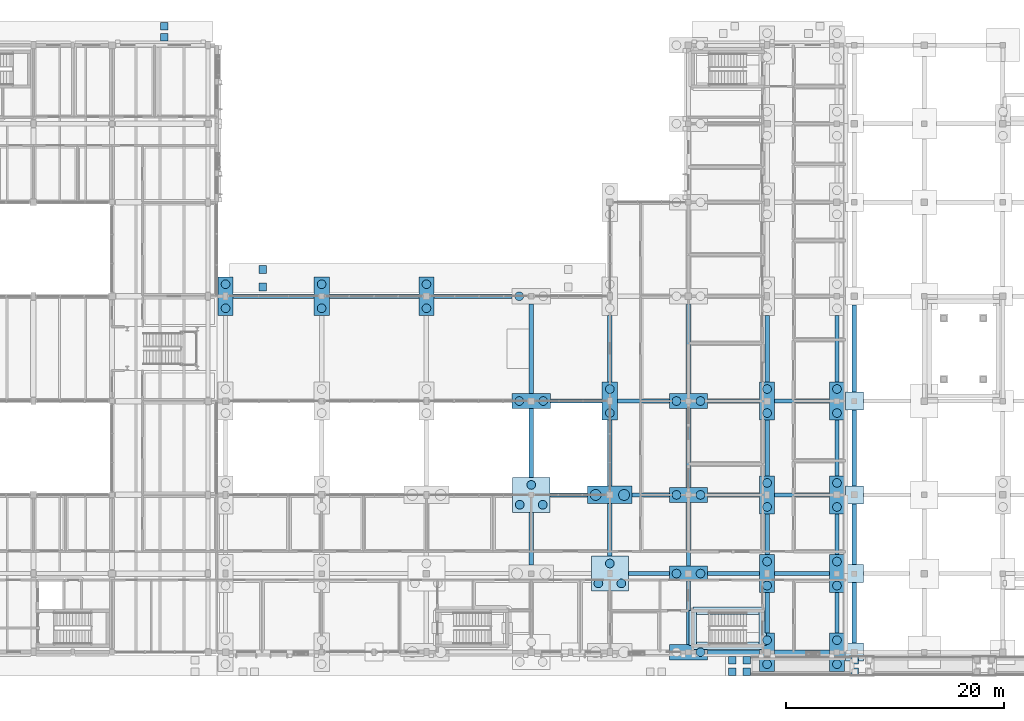
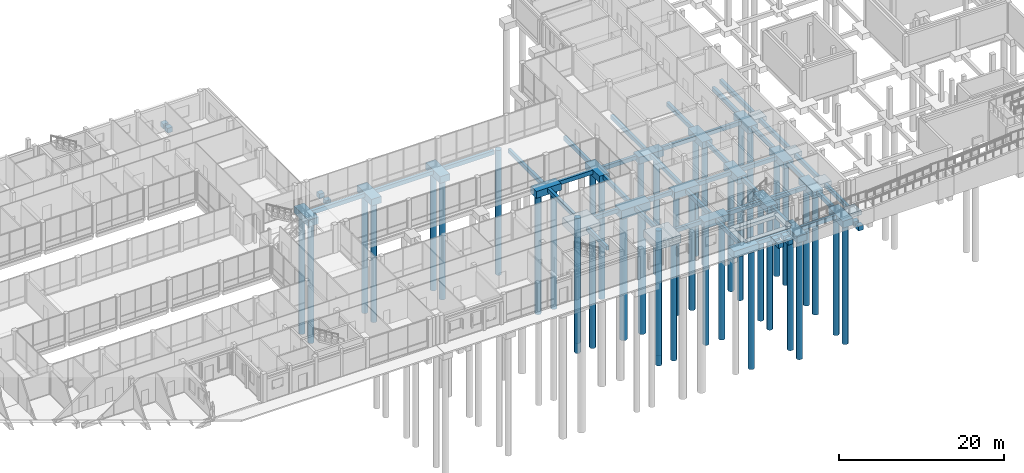
# One storey, part 2 of 104: 76 footings, 42 piles.
"""IFC4 building model written with IfcOpenShell, lengths in metres."""

from ifc_helpers import new_model, si_unit, direction, frame, origin, origin_2d, place, context, subcontext, project, spatial, rectangle, circle, extrude, material, layer, layer_set, material_profile, profile_set, type_object, element, save


model = new_model("IFC4")

# Units and contexts
model_context = context("Model", 3, precision=1e-05, world=origin(), true_north=direction((0.0, 1.0)))
body_context = subcontext(model_context, "Body", "Model", "MODEL_VIEW")
ifc_project = project(units=[si_unit("LENGTHUNIT", "METRE"), si_unit("AREAUNIT", "SQUARE_METRE"), si_unit("VOLUMEUNIT", "CUBIC_METRE"), si_unit("PLANEANGLEUNIT", "RADIAN"), si_unit("MASSUNIT", "GRAM", prefix="KILO")], contexts=[model_context])

# Site, building, storey
site_placement = place(None, origin())
site = spatial("IfcSite", under=ifc_project, at=site_placement, CompositionType="ELEMENT")
building_placement = place(site_placement, origin())
building = spatial("IfcBuilding", under=site, at=building_placement, Name="Hawrajan Terrace Health Centre", CompositionType="ELEMENT")
storey_placement = place(building_placement, origin())
storey = spatial("IfcBuildingStorey", under=building, at=storey_placement, Name="L00", CompositionType="ELEMENT", Elevation=0.0)

# Piles
ifc_material = material(Name="Concrete C40/50", Category="concrete")
ifc_material_profile_1 = material_profile(ifc_material, circle(Radius=0.5, at=origin_2d()), Name="BP 1000")
ifc_profile_set_1 = profile_set([ifc_material_profile_1], Name="Concrete C40/50")
pile_type_1 = type_object("IfcPileType", Name="BoredPile_1000", PredefinedType="BORED", material=ifc_profile_set_1)
for number, where, z_axis, x_axis, name in (
    (1, (106.5, 18.60009765625, -0.5), (0.0, 0.0, -1.0), (1.0, 0.0, 0.0), "Bored pile P-291"),
    (2, (109.10009765625, 18.60009765625, -0.5), (0.0, 0.0, -1.0), (1.0, 0.0, 0.0), "Bored pile P-292"),
):
    element("IfcPile", number, at=place(storey_placement, frame(where, z_axis=z_axis, x_axis=x_axis)), inside=storey, type_object=pile_type_1, Name=name, PredefinedType="BORED", context=body_context, shape_type="SweptSolid", body=[
        extrude(circle(Radius=0.5, at=origin_2d()), origin(), (0.0, 0.0, 1.0), 19.5),
    ])
ifc_material_profile_2 = material_profile(ifc_material, circle(Radius=0.39990234375, at=origin_2d()), Name="BP 800")
ifc_profile_set_2 = profile_set([ifc_material_profile_2], Name="Concrete C40/50")
pile_type_2 = type_object("IfcPileType", Name="BoredPile_800", PredefinedType="BORED", material=ifc_profile_set_2)
for number, where, z_axis, x_axis, name in (
    (3, (72.60009765625, 35.699951171875, -0.5), (0.0, 0.0, -1.0), (1.0, 0.0, 0.0), "Bored pile P-251"),
    (4, (72.60009765625, 37.89990234375, -0.5), (0.0, 0.0, -1.0), (1.0, 0.0, 0.0), "Bored pile P-252"),
    (5, (81.39990234375, 35.699951171875, -0.5), (0.0, 0.0, -1.0), (1.0, 0.0, 0.0), "Bored pile P-261"),
    (6, (81.39990234375, 37.89990234375, -0.5), (0.0, 0.0, -1.0), (1.0, 0.0, 0.0), "Bored pile P-262"),
    (7, (91.0, 35.699951171875, -0.5), (0.0, 0.0, -1.0), (1.0, 0.0, 0.0), "Bored pile P-272"),
    (8, (91.0, 37.89990234375, -0.5), (0.0, 0.0, -1.0), (1.0, 0.0, 0.0), "Bored pile P-273"),
    (9, (99.550048828125, 17.699951171875, -0.5), (0.0, 0.0, -1.0), (1.0, 0.0, 0.0), "Bored pile P-279"),
    (10, (101.64990234375, 17.699951171875, -0.5), (0.0, 0.0, -1.0), (1.0, 0.0, 0.0), "Bored pile P-280"),
    (11, (100.60009765625, 19.52001953125, -0.5), (0.0, 0.0, -1.0), (1.0, 0.0, 0.0), "Bored pile P-281"),
    (12, (99.5, 27.199951171875, -0.5), (0.0, 0.0, -1.0), (1.0, 0.0, 0.0), "Bored pile P-282"),
    (13, (101.699951171875, 27.199951171875, -0.5), (0.0, 0.0, -1.0), (1.0, 0.0, 0.0), "Bored pile P-283"),
    (14, (99.5, 36.800048828125, -0.5), (0.0, 0.0, -1.0), (1.0, 0.0, 0.0), "Bored pile P-284"),
    (15, (106.75, 10.5, -0.5), (0.0, 0.0, -1.0), (1.0, 0.0, 0.0), "Bored pile P-288"),
    (16, (108.85009765625, 10.5, -0.5), (0.0, 0.0, -1.0), (1.0, 0.0, 0.0), "Bored pile P-289"),
    (17, (107.800048828125, 12.320068359375, -0.5), (0.0, 0.0, -1.0), (1.0, 0.0, 0.0), "Bored pile P-290"),
    (18, (107.800048828125, 26.10009765625, -0.5), (0.0, 0.0, -1.0), (1.0, 0.0, 0.0), "Bored pile P-293"),
    (19, (107.800048828125, 28.300048828125, -0.5), (0.0, 0.0, -1.0), (1.0, 0.0, 0.0), "Bored pile P-294"),
    (20, (116.10009765625, 4.199951171875, -0.5), (0.0, 0.0, -1.0), (1.0, 0.0, 0.0), "Bored pile P-300"),
    (21, (113.89990234375, 11.39990234375, -0.5), (0.0, 0.0, -1.0), (1.0, 0.0, 0.0), "Bored pile P-301"),
    (22, (116.10009765625, 11.39990234375, -0.5), (0.0, 0.0, -1.0), (1.0, 0.0, 0.0), "Bored pile P-302"),
    (23, (113.89990234375, 18.60009765625, -0.5), (0.0, 0.0, -1.0), (1.0, 0.0, 0.0), "Bored pile P-303"),
    (24, (116.10009765625, 18.60009765625, -0.5), (0.0, 0.0, -1.0), (1.0, 0.0, 0.0), "Bored pile P-304"),
    (25, (113.89990234375, 27.199951171875, -0.5), (0.0, 0.0, -1.0), (1.0, 0.0, 0.0), "Bored pile P-305"),
    (26, (116.10009765625, 27.199951171875, -0.5), (0.0, 0.0, -1.0), (1.0, 0.0, 0.0), "Bored pile P-306"),
    (27, (122.199951171875, 3.10009765625, -0.5), (0.0, 0.0, -1.0), (1.0, 0.0, 0.0), "Bored pile P-315"),
    (28, (122.199951171875, 5.300048828125, -0.5), (0.0, 0.0, -1.0), (1.0, 0.0, 0.0), "Bored pile P-316"),
    (29, (122.199951171875, 10.300048828125, -0.5), (0.0, 0.0, -1.0), (1.0, 0.0, 0.0), "Bored pile P-317"),
    (30, (122.199951171875, 12.5, -0.5), (0.0, 0.0, -1.0), (1.0, 0.0, 0.0), "Bored pile P-318"),
    (31, (122.199951171875, 17.5, -0.5), (0.0, 0.0, -1.0), (1.0, 0.0, 0.0), "Bored pile P-319"),
    (32, (122.199951171875, 19.699951171875, -0.5), (0.0, 0.0, -1.0), (1.0, 0.0, 0.0), "Bored pile P-320"),
    (33, (122.199951171875, 26.10009765625, -0.5), (0.0, 0.0, -1.0), (1.0, 0.0, 0.0), "Bored pile P-321"),
    (34, (122.199951171875, 28.300048828125, -0.5), (0.0, 0.0, -1.0), (1.0, 0.0, 0.0), "Bored pile P-322"),
    (35, (128.60009765625, 3.10009765625, -0.5), (0.0, 0.0, -1.0), (1.0, 0.0, 0.0), "Bored pile P-331"),
    (36, (128.60009765625, 5.300048828125, -0.5), (0.0, 0.0, -1.0), (1.0, 0.0, 0.0), "Bored pile P-332"),
    (37, (128.60009765625, 10.300048828125, -0.5), (0.0, 0.0, -1.0), (1.0, 0.0, 0.0), "Bored pile P-333"),
    (38, (128.60009765625, 12.5, -0.5), (0.0, 0.0, -1.0), (1.0, 0.0, 0.0), "Bored pile P-334"),
    (39, (128.60009765625, 17.5, -0.5), (0.0, 0.0, -1.0), (1.0, 0.0, 0.0), "Bored pile P-335"),
    (40, (128.60009765625, 19.699951171875, -0.5), (0.0, 0.0, -1.0), (1.0, 0.0, 0.0), "Bored pile P-336"),
    (41, (128.60009765625, 26.10009765625, -0.5), (0.0, 0.0, -1.0), (1.0, 0.0, 0.0), "Bored pile P-337"),
    (42, (128.60009765625, 28.300048828125, -0.5), (0.0, 0.0, -1.0), (1.0, 0.0, 0.0), "Bored pile P-338"),
):
    element("IfcPile", number, at=place(storey_placement, frame(where, z_axis=z_axis, x_axis=x_axis)), inside=storey, type_object=pile_type_2, Name=name, PredefinedType="BORED", context=body_context, shape_type="SweptSolid", body=[
        extrude(circle(Radius=0.39990234375, at=origin_2d()), origin(), (0.0, 0.0, 1.0), 18.5),
    ])

# Footings
ifc_material_profile_3 = material_profile(ifc_material, rectangle(XDim=0.39990234375, YDim=0.60009765625, at=origin_2d()), Name="RC BM 400x600")
ifc_profile_set_3 = profile_set([ifc_material_profile_3], Name="Concrete C40/50")
footing_type_1 = type_object("IfcFootingType", Name="GroundBeam_400x600", PredefinedType="FOOTING_BEAM", material=ifc_profile_set_3)
footing_1_placement = place(storey_placement, frame((73.300048828125, 36.800048828125, -0.699951171875), z_axis=(1.0, 0.0, 0.0), x_axis=(0.0, 1.0, 0.0)))
element("IfcFooting", 43, at=footing_1_placement, inside=storey, type_object=footing_type_1, Name="Ground tie beam GB-X-C-10-5", PredefinedType="FOOTING_BEAM", context=body_context, shape_type="SweptSolid", body=[
    extrude(rectangle(XDim=0.39990234375, YDim=0.60009765625, at=origin_2d()), origin(), (0.0, 0.0, 1.0), 7.39990234375),
])
footing_2_placement = place(storey_placement, frame((82.10009765625, 36.800048828125, -0.699951171875), z_axis=(1.0, 0.0, 0.0), x_axis=(0.0, 1.0, 0.0)))
element("IfcFooting", 44, at=footing_2_placement, inside=storey, type_object=footing_type_1, Name="Ground tie beam GB-X-C-11-5", PredefinedType="FOOTING_BEAM", context=body_context, shape_type="SweptSolid", body=[
    extrude(rectangle(XDim=0.39990234375, YDim=0.60009765625, at=origin_2d()), origin(), (0.0, 0.0, 1.0), 8.199951171875),
])
footing_3_placement = place(storey_placement, frame((91.699951171875, 36.800048828125, -0.699951171875), z_axis=(1.0, 0.0, 0.0), x_axis=(0.0, 1.0, 0.0)))
element("IfcFooting", 45, at=footing_3_placement, inside=storey, type_object=footing_type_1, Name="Ground tie beam GB-X-C-12-5", PredefinedType="FOOTING_BEAM", context=body_context, shape_type="SweptSolid", body=[
    extrude(rectangle(XDim=0.39990234375, YDim=0.60009765625, at=origin_2d()), origin(), (0.0, 0.0, 1.0), 7.150146484375),
])
footing_4_placement = place(storey_placement, frame((100.60009765625, 12.199951171875, -0.699951171875), z_axis=(0.0, 1.0, 0.0), x_axis=(-1.0, 0.0, 0.0)))
element("IfcFooting", 46, at=footing_4_placement, inside=storey, type_object=footing_type_1, Name="Ground tie beam GB-Y-C-13-2", PredefinedType="FOOTING_BEAM", context=body_context, shape_type="SweptSolid", body=[
    extrude(rectangle(XDim=0.39990234375, YDim=0.60009765625, at=origin_2d()), origin(), (0.0, 0.0, 1.0), 4.800048828125),
])
footing_5_placement = place(storey_placement, frame((102.300048828125, 18.60009765625, -0.699951171875), z_axis=(1.0, 0.0, 0.0), x_axis=(0.0, 1.0, 0.0)))
element("IfcFooting", 47, at=footing_5_placement, inside=storey, type_object=footing_type_1, Name="Ground tie beam GB-X-C-13-3", PredefinedType="FOOTING_BEAM", context=body_context, shape_type="SweptSolid", body=[
    extrude(rectangle(XDim=0.39990234375, YDim=0.60009765625, at=origin_2d()), origin(), (0.0, 0.0, 1.0), 3.449951171875),
])
footing_6_placement = place(storey_placement, frame((100.60009765625, 20.199951171875, -0.699951171875), z_axis=(0.0, 1.0, 0.0), x_axis=(-1.0, 0.0, 0.0)))
element("IfcFooting", 48, at=footing_6_placement, inside=storey, type_object=footing_type_1, Name="Ground tie beam GB-Y-C-13-3", PredefinedType="FOOTING_BEAM", context=body_context, shape_type="SweptSolid", body=[
    extrude(rectangle(XDim=0.39990234375, YDim=0.60009765625, at=origin_2d()), origin(), (0.0, 0.0, 1.0), 6.300048828125),
])
footing_7_placement = place(storey_placement, frame((102.35009765625, 27.199951171875, -0.699951171875), z_axis=(1.0, 0.0, 0.0), x_axis=(0.0, 1.0, 0.0)))
element("IfcFooting", 49, at=footing_7_placement, inside=storey, type_object=footing_type_1, Name="Ground tie beam GB-X-C-13-4", PredefinedType="FOOTING_BEAM", context=body_context, shape_type="SweptSolid", body=[
    extrude(rectangle(XDim=0.39990234375, YDim=0.60009765625, at=origin_2d()), origin(), (0.0, 0.0, 1.0), 4.75),
])
footing_8_placement = place(storey_placement, frame((100.60009765625, 27.89990234375, -0.699951171875), z_axis=(0.0, 1.0, 0.0), x_axis=(-1.0, 0.0, 0.0)))
element("IfcFooting", 50, at=footing_8_placement, inside=storey, type_object=footing_type_1, Name="Ground tie beam GB-Y-C-13-4", PredefinedType="FOOTING_BEAM", context=body_context, shape_type="SweptSolid", body=[
    extrude(rectangle(XDim=0.39990234375, YDim=0.60009765625, at=origin_2d()), origin(), (0.0, 0.0, 1.0), 8.2001953125),
])
footing_9_placement = place(storey_placement, frame((109.5, 11.39990234375, -0.699951171875), z_axis=(1.0, 0.0, 0.0), x_axis=(0.0, 1.0, 0.0)))
element("IfcFooting", 51, at=footing_9_placement, inside=storey, type_object=footing_type_1, Name="Ground tie beam GB-X-C-14-2", PredefinedType="FOOTING_BEAM", context=body_context, shape_type="SweptSolid", body=[
    extrude(rectangle(XDim=0.39990234375, YDim=0.60009765625, at=origin_2d()), origin(), (0.0, 0.0, 1.0), 3.75),
])
footing_10_placement = place(storey_placement, frame((107.800048828125, 13.0, -0.699951171875), z_axis=(0.0, 1.0, 0.0), x_axis=(-1.0, 0.0, 0.0)))
element("IfcFooting", 52, at=footing_10_placement, inside=storey, type_object=footing_type_1, Name="Ground tie beam GB-Y-C-14-2", PredefinedType="FOOTING_BEAM", context=body_context, shape_type="SweptSolid", body=[
    extrude(rectangle(XDim=0.39990234375, YDim=0.60009765625, at=origin_2d()), origin(), (0.0, 0.0, 1.0), 4.800048828125),
])
footing_11_placement = place(storey_placement, frame((109.85009765625, 18.60009765625, -0.699951171875), z_axis=(1.0, 0.0, 0.0), x_axis=(0.0, 1.0, 0.0)))
element("IfcFooting", 53, at=footing_11_placement, inside=storey, type_object=footing_type_1, Name="Ground tie beam GB-X-C-14-3", PredefinedType="FOOTING_BEAM", context=body_context, shape_type="SweptSolid", body=[
    extrude(rectangle(XDim=0.39990234375, YDim=0.60009765625, at=origin_2d()), origin(), (0.0, 0.0, 1.0), 3.39990234375),
])
footing_12_placement = place(storey_placement, frame((107.800048828125, 19.39990234375, -0.699951171875), z_axis=(0.0, 1.0, 0.0), x_axis=(-1.0, 0.0, 0.0)))
element("IfcFooting", 54, at=footing_12_placement, inside=storey, type_object=footing_type_1, Name="Ground tie beam GB-Y-C-14-3", PredefinedType="FOOTING_BEAM", context=body_context, shape_type="SweptSolid", body=[
    extrude(rectangle(XDim=0.39990234375, YDim=0.60009765625, at=origin_2d()), origin(), (0.0, 0.0, 1.0), 6.050048828125),
])
footing_13_placement = place(storey_placement, frame((108.5, 27.199951171875, -0.699951171875), z_axis=(1.0, 0.0, 0.0), x_axis=(0.0, 1.0, 0.0)))
element("IfcFooting", 55, at=footing_13_placement, inside=storey, type_object=footing_type_1, Name="Ground tie beam GB-X-C-14-4", PredefinedType="FOOTING_BEAM", context=body_context, shape_type="SweptSolid", body=[
    extrude(rectangle(XDim=0.39990234375, YDim=0.60009765625, at=origin_2d()), origin(), (0.0, 0.0, 1.0), 4.75),
])
footing_14_placement = place(storey_placement, frame((107.800048828125, 28.949951171875, -0.699951171875), z_axis=(0.0, 1.0, 0.0), x_axis=(-1.0, 0.0, 0.0)))
element("IfcFooting", 56, at=footing_14_placement, inside=storey, type_object=footing_type_1, Name="Ground tie beam GB-Y-C-14-4", PredefinedType="FOOTING_BEAM", context=body_context, shape_type="SweptSolid", body=[
    extrude(rectangle(XDim=0.39990234375, YDim=0.60009765625, at=origin_2d()), origin(), (0.0, 0.0, 1.0), 6.10009765625),
])
footing_15_placement = place(storey_placement, frame((116.75, 4.199951171875, -0.699951171875), z_axis=(1.0, 0.0, 0.0), x_axis=(0.0, 1.0, 0.0)))
element("IfcFooting", 57, at=footing_15_placement, inside=storey, type_object=footing_type_1, Name="Ground tie beam GB-X-C-15-1", PredefinedType="FOOTING_BEAM", context=body_context, shape_type="SweptSolid", body=[
    extrude(rectangle(XDim=0.39990234375, YDim=0.60009765625, at=origin_2d()), origin(), (0.0, 0.0, 1.0), 4.75),
])
footing_16_placement = place(storey_placement, frame((115.0, 4.89990234375, -0.699951171875), z_axis=(0.0, 1.0, 0.0), x_axis=(-1.0, 0.0, 0.0)))
element("IfcFooting", 58, at=footing_16_placement, inside=storey, type_object=footing_type_1, Name="Ground tie beam GB-Y-C-15-1", PredefinedType="FOOTING_BEAM", context=body_context, shape_type="SweptSolid", body=[
    extrude(rectangle(XDim=0.39990234375, YDim=0.60009765625, at=origin_2d()), origin(), (0.0, 0.0, 1.0), 5.800048828125),
])
footing_17_placement = place(storey_placement, frame((116.75, 11.39990234375, -0.699951171875), z_axis=(1.0, 0.0, 0.0), x_axis=(0.0, 1.0, 0.0)))
element("IfcFooting", 59, at=footing_17_placement, inside=storey, type_object=footing_type_1, Name="Ground tie beam GB-X-C-15-2", PredefinedType="FOOTING_BEAM", context=body_context, shape_type="SweptSolid", body=[
    extrude(rectangle(XDim=0.39990234375, YDim=0.60009765625, at=origin_2d()), origin(), (0.0, 0.0, 1.0), 4.75),
])
footing_18_placement = place(storey_placement, frame((115.0, 12.10009765625, -0.699951171875), z_axis=(0.0, 1.0, 0.0), x_axis=(-1.0, 0.0, 0.0)))
element("IfcFooting", 60, at=footing_18_placement, inside=storey, type_object=footing_type_1, Name="Ground tie beam GB-Y-C-15-2", PredefinedType="FOOTING_BEAM", context=body_context, shape_type="SweptSolid", body=[
    extrude(rectangle(XDim=0.39990234375, YDim=0.60009765625, at=origin_2d()), origin(), (0.0, 0.0, 1.0), 5.7998046875),
])
footing_19_placement = place(storey_placement, frame((116.75, 18.60009765625, -0.699951171875), z_axis=(1.0, 0.0, 0.0), x_axis=(0.0, 1.0, 0.0)))
element("IfcFooting", 61, at=footing_19_placement, inside=storey, type_object=footing_type_1, Name="Ground tie beam GB-X-C-15-3", PredefinedType="FOOTING_BEAM", context=body_context, shape_type="SweptSolid", body=[
    extrude(rectangle(XDim=0.39990234375, YDim=0.60009765625, at=origin_2d()), origin(), (0.0, 0.0, 1.0), 4.75),
])
footing_20_placement = place(storey_placement, frame((115.0, 19.300048828125, -0.699951171875), z_axis=(0.0, 1.0, 0.0), x_axis=(-1.0, 0.0, 0.0)))
element("IfcFooting", 62, at=footing_20_placement, inside=storey, type_object=footing_type_1, Name="Ground tie beam GB-Y-C-15-3", PredefinedType="FOOTING_BEAM", context=body_context, shape_type="SweptSolid", body=[
    extrude(rectangle(XDim=0.39990234375, YDim=0.60009765625, at=origin_2d()), origin(), (0.0, 0.0, 1.0), 7.199951171875),
])
footing_21_placement = place(storey_placement, frame((116.75, 27.199951171875, -0.699951171875), z_axis=(1.0, 0.0, 0.0), x_axis=(0.0, 1.0, 0.0)))
element("IfcFooting", 63, at=footing_21_placement, inside=storey, type_object=footing_type_1, Name="Ground tie beam GB-X-C-15-4", PredefinedType="FOOTING_BEAM", context=body_context, shape_type="SweptSolid", body=[
    extrude(rectangle(XDim=0.39990234375, YDim=0.60009765625, at=origin_2d()), origin(), (0.0, 0.0, 1.0), 4.75),
])
footing_22_placement = place(storey_placement, frame((115.0, 27.89990234375, -0.699951171875), z_axis=(0.0, 1.0, 0.0), x_axis=(-1.0, 0.0, 0.0)))
element("IfcFooting", 64, at=footing_22_placement, inside=storey, type_object=footing_type_1, Name="Ground tie beam GB-Y-C-15-4", PredefinedType="FOOTING_BEAM", context=body_context, shape_type="SweptSolid", body=[
    extrude(rectangle(XDim=0.39990234375, YDim=0.60009765625, at=origin_2d()), origin(), (0.0, 0.0, 1.0), 8.2001953125),
])
footing_23_placement = place(storey_placement, frame((122.89990234375, 4.199951171875, -0.699951171875), z_axis=(1.0, 0.0, 0.0), x_axis=(0.0, 1.0, 0.0)))
element("IfcFooting", 65, at=footing_23_placement, inside=storey, type_object=footing_type_1, Name="Ground tie beam GB-X-C-16-1", PredefinedType="FOOTING_BEAM", context=body_context, shape_type="SweptSolid", body=[
    extrude(rectangle(XDim=0.39990234375, YDim=0.60009765625, at=origin_2d()), origin(), (0.0, 0.0, 1.0), 5.0),
])
footing_24_placement = place(storey_placement, frame((122.199951171875, 5.949951171875, -0.699951171875), z_axis=(0.0, 1.0, 0.0), x_axis=(-1.0, 0.0, 0.0)))
element("IfcFooting", 66, at=footing_24_placement, inside=storey, type_object=footing_type_1, Name="Ground tie beam GB-Y-C-16-1", PredefinedType="FOOTING_BEAM", context=body_context, shape_type="SweptSolid", body=[
    extrude(rectangle(XDim=0.39990234375, YDim=0.60009765625, at=origin_2d()), origin(), (0.0, 0.0, 1.0), 3.699951171875),
])
footing_25_placement = place(storey_placement, frame((122.89990234375, 11.39990234375, -0.699951171875), z_axis=(1.0, 0.0, 0.0), x_axis=(0.0, 1.0, 0.0)))
element("IfcFooting", 67, at=footing_25_placement, inside=storey, type_object=footing_type_1, Name="Ground tie beam GB-X-C-16-2", PredefinedType="FOOTING_BEAM", context=body_context, shape_type="SweptSolid", body=[
    extrude(rectangle(XDim=0.39990234375, YDim=0.60009765625, at=origin_2d()), origin(), (0.0, 0.0, 1.0), 5.0),
])
footing_26_placement = place(storey_placement, frame((122.199951171875, 13.14990234375, -0.699951171875), z_axis=(0.0, 1.0, 0.0), x_axis=(-1.0, 0.0, 0.0)))
element("IfcFooting", 68, at=footing_26_placement, inside=storey, type_object=footing_type_1, Name="Ground tie beam GB-Y-C-16-2", PredefinedType="FOOTING_BEAM", context=body_context, shape_type="SweptSolid", body=[
    extrude(rectangle(XDim=0.39990234375, YDim=0.60009765625, at=origin_2d()), origin(), (0.0, 0.0, 1.0), 3.7001953125),
])
footing_27_placement = place(storey_placement, frame((122.89990234375, 18.60009765625, -0.699951171875), z_axis=(1.0, 0.0, 0.0), x_axis=(0.0, 1.0, 0.0)))
element("IfcFooting", 69, at=footing_27_placement, inside=storey, type_object=footing_type_1, Name="Ground tie beam GB-X-C-16-3", PredefinedType="FOOTING_BEAM", context=body_context, shape_type="SweptSolid", body=[
    extrude(rectangle(XDim=0.39990234375, YDim=0.60009765625, at=origin_2d()), origin(), (0.0, 0.0, 1.0), 5.0),
])
footing_28_placement = place(storey_placement, frame((122.199951171875, 20.35009765625, -0.699951171875), z_axis=(0.0, 1.0, 0.0), x_axis=(-1.0, 0.0, 0.0)))
element("IfcFooting", 70, at=footing_28_placement, inside=storey, type_object=footing_type_1, Name="Ground tie beam GB-Y-C-16-3", PredefinedType="FOOTING_BEAM", context=body_context, shape_type="SweptSolid", body=[
    extrude(rectangle(XDim=0.39990234375, YDim=0.60009765625, at=origin_2d()), origin(), (0.0, 0.0, 1.0), 5.099853515625),
])
footing_29_placement = place(storey_placement, frame((122.89990234375, 27.199951171875, -0.699951171875), z_axis=(1.0, 0.0, 0.0), x_axis=(0.0, 1.0, 0.0)))
element("IfcFooting", 71, at=footing_29_placement, inside=storey, type_object=footing_type_1, Name="Ground tie beam GB-X-C-16-4", PredefinedType="FOOTING_BEAM", context=body_context, shape_type="SweptSolid", body=[
    extrude(rectangle(XDim=0.39990234375, YDim=0.60009765625, at=origin_2d()), origin(), (0.0, 0.0, 1.0), 5.0),
])
footing_30_placement = place(storey_placement, frame((122.199951171875, 28.949951171875, -0.699951171875), z_axis=(0.0, 1.0, 0.0), x_axis=(-1.0, 0.0, 0.0)))
element("IfcFooting", 72, at=footing_30_placement, inside=storey, type_object=footing_type_1, Name="Ground tie beam GB-Y-C-16-4", PredefinedType="FOOTING_BEAM", context=body_context, shape_type="SweptSolid", body=[
    extrude(rectangle(XDim=0.39990234375, YDim=0.60009765625, at=origin_2d()), origin(), (0.0, 0.0, 1.0), 6.10009765625),
])
footing_31_placement = place(storey_placement, frame((128.60009765625, 5.949951171875, -0.699951171875), z_axis=(0.0, 1.0, 0.0), x_axis=(-1.0, 0.0, 0.0)))
element("IfcFooting", 73, at=footing_31_placement, inside=storey, type_object=footing_type_1, Name="Ground tie beam GB-Y-C-17-1", PredefinedType="FOOTING_BEAM", context=body_context, shape_type="SweptSolid", body=[
    extrude(rectangle(XDim=0.39990234375, YDim=0.60009765625, at=origin_2d()), origin(), (0.0, 0.0, 1.0), 3.699951171875),
])
footing_32_placement = place(storey_placement, frame((128.60009765625, 13.14990234375, -0.699951171875), z_axis=(0.0, 1.0, 0.0), x_axis=(-1.0, 0.0, 0.0)))
element("IfcFooting", 74, at=footing_32_placement, inside=storey, type_object=footing_type_1, Name="Ground tie beam GB-Y-C-17-2", PredefinedType="FOOTING_BEAM", context=body_context, shape_type="SweptSolid", body=[
    extrude(rectangle(XDim=0.39990234375, YDim=0.60009765625, at=origin_2d()), origin(), (0.0, 0.0, 1.0), 3.7001953125),
])
footing_33_placement = place(storey_placement, frame((128.60009765625, 20.35009765625, -0.699951171875), z_axis=(0.0, 1.0, 0.0), x_axis=(-1.0, 0.0, 0.0)))
element("IfcFooting", 75, at=footing_33_placement, inside=storey, type_object=footing_type_1, Name="Ground tie beam GB-Y-C-17-3", PredefinedType="FOOTING_BEAM", context=body_context, shape_type="SweptSolid", body=[
    extrude(rectangle(XDim=0.39990234375, YDim=0.60009765625, at=origin_2d()), origin(), (0.0, 0.0, 1.0), 5.099853515625),
])
footing_34_placement = place(storey_placement, frame((128.60009765625, 28.949951171875, -0.699951171875), z_axis=(0.0, 1.0, 0.0), x_axis=(-1.0, 0.0, 0.0)))
element("IfcFooting", 76, at=footing_34_placement, inside=storey, type_object=footing_type_1, Name="Ground tie beam GB-Y-C-17-4", PredefinedType="FOOTING_BEAM", context=body_context, shape_type="SweptSolid", body=[
    extrude(rectangle(XDim=0.39990234375, YDim=0.60009765625, at=origin_2d()), origin(), (0.0, 0.0, 1.0), 6.10009765625),
])
footing_35_placement = place(storey_placement, frame((130.199951171875, 5.02490234375, -0.699951171875), z_axis=(0.0, 1.0, 0.0), x_axis=(-1.0, 0.0, 0.0)))
element("IfcFooting", 77, at=footing_35_placement, inside=storey, type_object=footing_type_1, Name="Ground tie beam GB-Y-E-17-1", PredefinedType="FOOTING_BEAM", context=body_context, shape_type="SweptSolid", body=[
    extrude(rectangle(XDim=0.39990234375, YDim=0.60009765625, at=origin_2d()), origin(), (0.0, 0.0, 1.0), 5.550048828125),
])
footing_36_placement = place(storey_placement, frame((130.199951171875, 12.22509765625, -0.699951171875), z_axis=(0.0, 1.0, 0.0), x_axis=(-1.0, 0.0, 0.0)))
element("IfcFooting", 78, at=footing_36_placement, inside=storey, type_object=footing_type_1, Name="Ground tie beam GB-Y-E-17-2", PredefinedType="FOOTING_BEAM", context=body_context, shape_type="SweptSolid", body=[
    extrude(rectangle(XDim=0.39990234375, YDim=0.60009765625, at=origin_2d()), origin(), (0.0, 0.0, 1.0), 5.5498046875),
])
footing_37_placement = place(storey_placement, frame((130.199951171875, 19.425048828125, -0.699951171875), z_axis=(0.0, 1.0, 0.0), x_axis=(-1.0, 0.0, 0.0)))
element("IfcFooting", 79, at=footing_37_placement, inside=storey, type_object=footing_type_1, Name="Ground tie beam GB-Y-E-17-3", PredefinedType="FOOTING_BEAM", context=body_context, shape_type="SweptSolid", body=[
    extrude(rectangle(XDim=0.39990234375, YDim=0.60009765625, at=origin_2d()), origin(), (0.0, 0.0, 1.0), 6.949951171875),
])
footing_38_placement = place(storey_placement, frame((130.199951171875, 28.02490234375, -0.699951171875), z_axis=(0.0, 1.0, 0.0), x_axis=(-1.0, 0.0, 0.0)))
element("IfcFooting", 80, at=footing_38_placement, inside=storey, type_object=footing_type_1, Name="Ground tie beam GB-Y-E-17-4", PredefinedType="FOOTING_BEAM", context=body_context, shape_type="SweptSolid", body=[
    extrude(rectangle(XDim=0.39990234375, YDim=0.60009765625, at=origin_2d()), origin(), (0.0, 0.0, 1.0), 7.9501953125),
])
ifc_layer_1 = layer(ifc_material, 0.64990234375)
ifc_layer_set_1 = layer_set([ifc_layer_1], Name="Concrete C40/50")
footing_type_2 = type_object("IfcFootingType", Name="PadFooting_1650", PredefinedType="PAD_FOOTING", material=ifc_layer_set_1)
for number, where, z_axis, x_axis, name in (
    (81, (130.199951171875, 4.199951171875, -1.050048828125), (0.0, 0.0, 1.0), (1.0, 0.0, 0.0), "Foundation FT-E-X17-Y1"),
    (82, (130.199951171875, 11.39990234375, -1.050048828125), (0.0, 0.0, 1.0), (1.0, 0.0, 0.0), "Foundation FT-E-X17-Y2"),
    (83, (130.199951171875, 18.60009765625, -1.050048828125), (0.0, 0.0, 1.0), (1.0, 0.0, 0.0), "Foundation FT-E-X17-Y3"),
    (84, (130.199951171875, 27.199951171875, -1.050048828125), (0.0, 0.0, 1.0), (1.0, 0.0, 0.0), "Foundation FT-E-X17-Y4"),
):
    element("IfcFooting", number, at=place(storey_placement, frame(where, z_axis=z_axis, x_axis=x_axis)), inside=storey, type_object=footing_type_2, Name=name, PredefinedType="PAD_FOOTING", context=body_context, shape_type="SweptSolid", body=[
        extrude(rectangle(XDim=1.64990234375, YDim=1.64990234375, at=origin_2d()), origin(), (0.0, 0.0, 1.0), 0.64990234375),
    ])
ifc_layer_2 = layer(ifc_material, 0.699951171875)
ifc_layer_set_2 = layer_set([ifc_layer_2], Name="Concrete C40/50")
footing_type_3 = type_object("IfcFootingType", Name="PadFooting_700", PredefinedType="PAD_FOOTING", material=ifc_layer_set_2)
for number, where, z_axis, x_axis, name in (
    (85, (67.0, 60.52001953125, -0.89990234375), (0.0, 0.0, 1.0), (1.0, 0.0, 0.0), "Apron pad footing APRON-L00-NW-2"),
    (86, (67.0, 61.52001953125, -0.89990234375), (0.0, 0.0, 1.0), (1.0, 0.0, 0.0), "Apron pad footing APRON-L00-NW-3"),
    (87, (76.0, 37.64990234375, -0.89990234375), (0.0, 0.0, 1.0), (1.0, 0.0, 0.0), "Apron pad footing APRON-L00-NCOURT-1"),
    (88, (76.0, 39.25, -0.89990234375), (0.0, 0.0, 1.0), (1.0, 0.0, 0.0), "Apron pad footing APRON-L00-NCOURT-4"),
    (89, (119.0, 2.419921875, -0.9501953125), (0.0, 0.0, 1.0), (1.0, 0.0, 0.0), "Apron pad footing RMP-00-LND-1"),
    (90, (120.35009765625, 2.419921875, -0.9501953125), (0.0, 0.0, 1.0), (1.0, 0.0, 0.0), "Apron pad footing RMP-00-LND-2"),
    (91, (120.35009765625, 3.449951171875, -0.9501953125), (0.0, 0.0, 1.0), (1.0, 0.0, 0.0), "Apron pad footing RMP-00-LND-3"),
    (92, (119.0, 3.449951171875, -0.9501953125), (0.0, 0.0, 1.0), (1.0, 0.0, 0.0), "Apron pad footing RMP-00-LND-4"),
    (93, (130.219970703125, 2.419921875, -2.2998046875), (0.0, 0.0, 1.0), (1.0, 0.0, 0.0), "Escarpment plinth pad footing RMP-01-LND-1"),
    (94, (130.219970703125, 3.47998046875, -2.2998046875), (0.0, 0.0, 1.0), (1.0, 0.0, 0.0), "Escarpment plinth pad footing RMP-01-LND-4"),
):
    element("IfcFooting", number, at=place(storey_placement, frame(where, z_axis=z_axis, x_axis=x_axis)), inside=storey, type_object=footing_type_3, Name=name, PredefinedType="PAD_FOOTING", context=body_context, shape_type="SweptSolid", body=[
        extrude(rectangle(XDim=0.699951171875, YDim=0.699951171875, at=origin_2d()), origin(), (0.0, 0.0, 1.0), 0.699951171875),
    ])
ifc_layer_3 = layer(ifc_material, 1.300048828125)
ifc_layer_set_3 = layer_set([ifc_layer_3], Name="Concrete C40/50")
footing_type_4 = type_object("IfcFootingType", Name="PileCap_2P1000_EW", PredefinedType="PILE_CAP", material=ifc_layer_set_3)
footing_39_placement = place(storey_placement, frame((107.800048828125, 18.60009765625, -1.7001953125), z_axis=(0.0, 0.0, 1.0), x_axis=(1.0, 0.0, 0.0)))
element("IfcFooting", 95, at=footing_39_placement, inside=storey, type_object=footing_type_4, Name="Foundation FT-C-X14-Y3", PredefinedType="PILE_CAP", context=body_context, shape_type="SweptSolid", body=[
    extrude(rectangle(XDim=4.10009765625, YDim=1.60009765625, at=origin_2d()), origin(), (0.0, 0.0, 1.0), 1.300048828125),
])
ifc_layer_4 = layer(ifc_material, 1.0)
ifc_layer_set_4 = layer_set([ifc_layer_4], Name="Concrete C40/50")
footing_type_5 = type_object("IfcFootingType", Name="PileCap_2P800_EW", PredefinedType="PILE_CAP", material=ifc_layer_set_4)
for number, where, z_axis, x_axis, name in (
    (96, (100.60009765625, 27.199951171875, -1.39990234375), (0.0, 0.0, 1.0), (1.0, 0.0, 0.0), "Foundation FT-C-X13-Y4"),
    (97, (115.0, 4.199951171875, -1.39990234375), (0.0, 0.0, 1.0), (1.0, 0.0, 0.0), "Foundation FT-C-X15-Y1"),
    (98, (115.0, 11.39990234375, -1.39990234375), (0.0, 0.0, 1.0), (1.0, 0.0, 0.0), "Foundation FT-C-X15-Y2"),
    (99, (115.0, 18.60009765625, -1.39990234375), (0.0, 0.0, 1.0), (1.0, 0.0, 0.0), "Foundation FT-C-X15-Y3"),
    (100, (115.0, 27.199951171875, -1.39990234375), (0.0, 0.0, 1.0), (1.0, 0.0, 0.0), "Foundation FT-C-X15-Y4"),
):
    element("IfcFooting", number, at=place(storey_placement, frame(where, z_axis=z_axis, x_axis=x_axis)), inside=storey, type_object=footing_type_5, Name=name, PredefinedType="PILE_CAP", context=body_context, shape_type="SweptSolid", body=[
        extrude(rectangle(XDim=3.5, YDim=1.39990234375, at=origin_2d()), origin(), (0.0, 0.0, 1.0), 1.0),
    ])
ifc_layer_5 = layer(ifc_material, 1.0)
ifc_layer_set_5 = layer_set([ifc_layer_5], Name="Concrete C40/50")
footing_type_6 = type_object("IfcFootingType", Name="PileCap_2P800_NS", PredefinedType="PILE_CAP", material=ifc_layer_set_5)
for number, where, z_axis, x_axis, name in (
    (101, (72.60009765625, 36.800048828125, -1.39990234375), (0.0, 0.0, 1.0), (1.0, 0.0, 0.0), "Foundation FT-C-X10-Y5"),
    (102, (81.39990234375, 36.800048828125, -1.39990234375), (0.0, 0.0, 1.0), (1.0, 0.0, 0.0), "Foundation FT-C-X11-Y5"),
    (103, (91.0, 36.800048828125, -1.39990234375), (0.0, 0.0, 1.0), (1.0, 0.0, 0.0), "Foundation FT-C-X12-Y5"),
    (104, (107.800048828125, 27.199951171875, -1.39990234375), (0.0, 0.0, 1.0), (1.0, 0.0, 0.0), "Foundation FT-C-X14-Y4"),
    (105, (122.199951171875, 4.199951171875, -1.39990234375), (0.0, 0.0, 1.0), (1.0, 0.0, 0.0), "Foundation FT-C-X16-Y1"),
    (106, (122.199951171875, 11.39990234375, -1.39990234375), (0.0, 0.0, 1.0), (1.0, 0.0, 0.0), "Foundation FT-C-X16-Y2"),
    (107, (122.199951171875, 18.60009765625, -1.39990234375), (0.0, 0.0, 1.0), (1.0, 0.0, 0.0), "Foundation FT-C-X16-Y3"),
    (108, (122.199951171875, 27.199951171875, -1.39990234375), (0.0, 0.0, 1.0), (1.0, 0.0, 0.0), "Foundation FT-C-X16-Y4"),
    (109, (128.60009765625, 4.199951171875, -1.39990234375), (0.0, 0.0, 1.0), (1.0, 0.0, 0.0), "Foundation FT-C-X17-Y1"),
    (110, (128.60009765625, 11.39990234375, -1.39990234375), (0.0, 0.0, 1.0), (1.0, 0.0, 0.0), "Foundation FT-C-X17-Y2"),
    (111, (128.60009765625, 18.60009765625, -1.39990234375), (0.0, 0.0, 1.0), (1.0, 0.0, 0.0), "Foundation FT-C-X17-Y3"),
    (112, (128.60009765625, 27.199951171875, -1.39990234375), (0.0, 0.0, 1.0), (1.0, 0.0, 0.0), "Foundation FT-C-X17-Y4"),
):
    element("IfcFooting", number, at=place(storey_placement, frame(where, z_axis=z_axis, x_axis=x_axis)), inside=storey, type_object=footing_type_6, Name=name, PredefinedType="PILE_CAP", context=body_context, shape_type="SweptSolid", body=[
        extrude(rectangle(XDim=1.39990234375, YDim=3.5, at=origin_2d()), origin(), (0.0, 0.0, 1.0), 1.0),
    ])
ifc_layer_6 = layer(ifc_material, 1.14990234375)
ifc_layer_set_6 = layer_set([ifc_layer_6], Name="Concrete C40/50")
footing_type_7 = type_object("IfcFootingType", Name="PileCap_3P800", PredefinedType="PILE_CAP", material=ifc_layer_set_6)
for number, where, z_axis, x_axis, name in (
    (113, (100.60009765625, 18.60009765625, -1.550048828125), (0.0, 0.0, 1.0), (1.0, 0.0, 0.0), "Foundation FT-C-X13-Y3"),
    (114, (107.800048828125, 11.39990234375, -1.550048828125), (0.0, 0.0, 1.0), (1.0, 0.0, 0.0), "Foundation FT-C-X14-Y2"),
):
    element("IfcFooting", number, at=place(storey_placement, frame(where, z_axis=z_axis, x_axis=x_axis)), inside=storey, type_object=footing_type_7, Name=name, PredefinedType="PILE_CAP", context=body_context, shape_type="SweptSolid", body=[
        extrude(rectangle(XDim=3.39990234375, YDim=3.199951171875, at=origin_2d()), origin(), (0.0, 0.0, 1.0), 1.14990234375),
    ])
ifc_material_profile_4 = material_profile(ifc_material, rectangle(XDim=0.699951171875, YDim=0.5, at=origin_2d()), Name="RC STRIP 700x500")
ifc_profile_set_4 = profile_set([ifc_material_profile_4], Name="Concrete C40/50")
footing_type_8 = type_object("IfcFootingType", Name="StripFooting_700x500", PredefinedType="STRIP_FOOTING", material=ifc_profile_set_4)
for number, where, z_axis, x_axis, name in (
    (115, (115.39990234375, 4.800048828125, -0.64990234375), (1.0, 0.0, 0.0), (0.0, 1.0, 0.0), "Stair shaft strip footing S6-S"),
    (116, (115.39990234375, 8.0, -0.64990234375), (1.0, 0.0, 0.0), (0.0, 1.0, 0.0), "Stair shaft strip footing S6-N"),
):
    element("IfcFooting", number, at=place(storey_placement, frame(where, z_axis=z_axis, x_axis=x_axis)), inside=storey, type_object=footing_type_8, Name=name, PredefinedType="STRIP_FOOTING", context=body_context, shape_type="SweptSolid", body=[
        extrude(rectangle(XDim=0.699951171875, YDim=0.5, at=origin_2d()), origin(), (0.0, 0.0, 1.0), 6.400146484375),
    ])
for number, where, z_axis, x_axis, name in (
    (117, (115.39990234375, 4.800048828125, -0.64990234375), (0.0, 1.0, 0.0), (-1.0, 0.0, 0.0), "Stair shaft strip footing S6-W"),
    (118, (121.800048828125, 4.800048828125, -0.64990234375), (0.0, 1.0, 0.0), (-1.0, 0.0, 0.0), "Stair shaft strip footing S6-E"),
):
    element("IfcFooting", number, at=place(storey_placement, frame(where, z_axis=z_axis, x_axis=x_axis)), inside=storey, type_object=footing_type_8, Name=name, PredefinedType="STRIP_FOOTING", context=body_context, shape_type="SweptSolid", body=[
        extrude(rectangle(XDim=0.699951171875, YDim=0.5, at=origin_2d()), origin(), (0.0, 0.0, 1.0), 3.199951171875),
    ])

save(model, "model.ifc")
